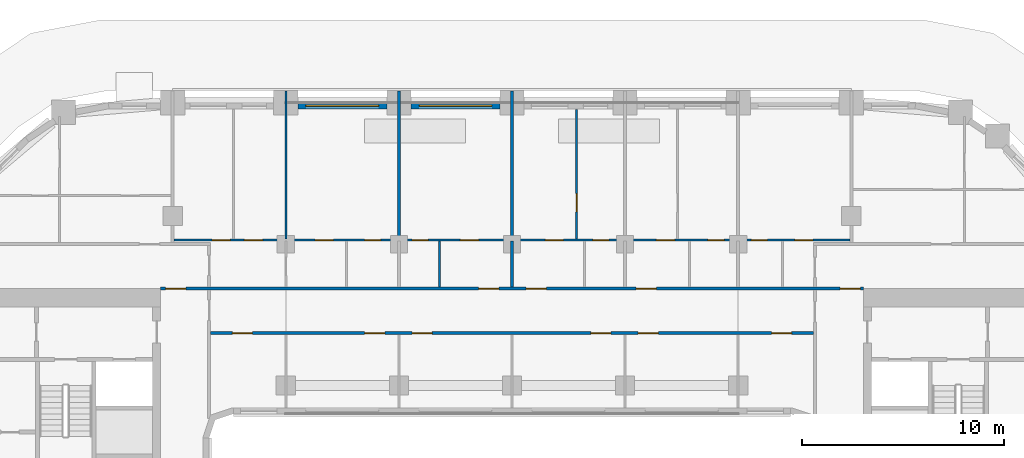
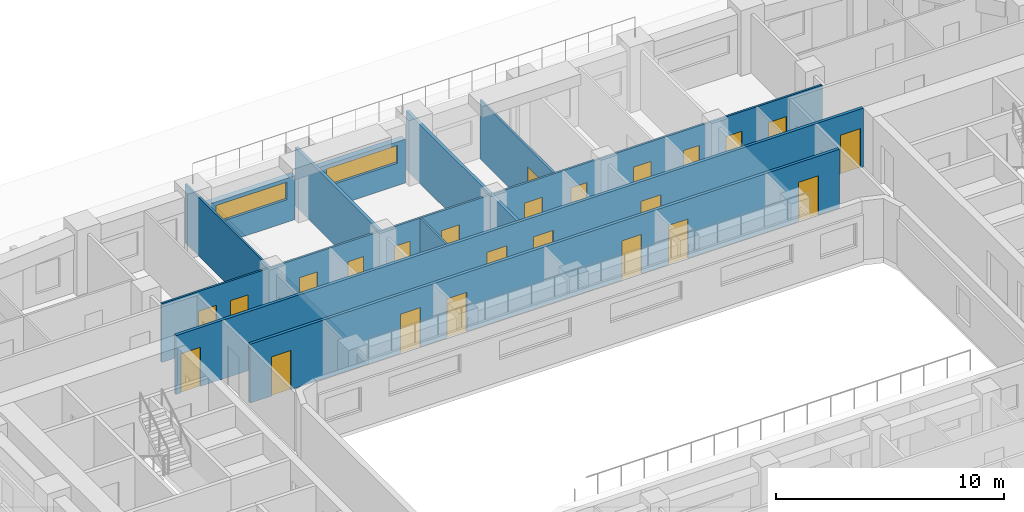
# One storey, part 9 of 18: 24 doors, 11 walls, 2 windows, 26 openings.
"""IFC4 building model written with IfcOpenShell, lengths in metres."""

from ifc_helpers import new_model, si_unit, direction, frame, frame_2d, origin, place, context, subcontext, project, spatial, rectangle, extrude, material, layer, layer_set, type_object, element, fill, save


model = new_model("IFC4")

# Units and contexts
model_context = context("Model", 3, precision=1e-05, world=origin(), true_north=direction((0.0, 1.0)))
body_context = subcontext(model_context, "Body", "Model", "MODEL_VIEW")
ifc_project = project(units=[si_unit("LENGTHUNIT", "METRE"), si_unit("AREAUNIT", "SQUARE_METRE"), si_unit("VOLUMEUNIT", "CUBIC_METRE"), si_unit("PLANEANGLEUNIT", "RADIAN"), si_unit("MASSUNIT", "GRAM", prefix="KILO")], contexts=[model_context])

# Site, building, storey
site_placement = place(None, origin())
site = spatial("IfcSite", under=ifc_project, at=site_placement, CompositionType="ELEMENT")
building_placement = place(site_placement, origin())
building = spatial("IfcBuilding", under=site, at=building_placement, Name="Kiln Ring Residences", CompositionType="ELEMENT")
storey_placement = place(building_placement, frame((0.0, 0.0, 121.800048828125)))
storey = spatial("IfcBuildingStorey", under=building, at=storey_placement, Name="L31", CompositionType="ELEMENT", Elevation=121.800048828125)

# Wall, opening, window
ifc_material_1 = material(Name="Brick masonry, dark clay brick", Category="masonry")
ifc_layer_1 = layer(ifc_material_1, 0.300048828125)
ifc_layer_set_1 = layer_set([ifc_layer_1], Name="EW-300 BRICK WALL")
wall_type_1 = type_object("IfcWallType", Name="EW-300 BRICK WALL", PredefinedType="SOLIDWALL", material=ifc_layer_set_1)
wall_1_placement = place(storey_placement, frame((-0.60009765625, 22.25, 0.0), z_axis=(0.0, 0.0, 1.0), x_axis=(-1.0, 0.0, 0.0)))
wall_1 = element("IfcWall", 1, at=wall_1_placement, inside=storey, type_object=wall_type_1, Name="Facade wall L31 32", PredefinedType="SOLIDWALL", context=body_context, shape_type="SweptSolid", body=[
    extrude(rectangle(XDim=4.39990234375, YDim=0.300048828125, at=frame_2d((2.199951171875, 0.0))), origin(), (0.0, 0.0, 1.0), 2.349853515625),
])
opening_1_placement = place(wall_1_placement, frame((0.39990234375, 0.0, 1.199951171875)))
opening_1 = element("IfcOpeningElement", 2, at=opening_1_placement, cuts=wall_1, Name="Opening W4", PredefinedType="OPENING", context=body_context, shape_type="SweptSolid", body=[
    extrude(rectangle(XDim=3.60009765625, YDim=0.949951171875, at=frame_2d((1.800048828125, 0.47509765625))), frame((0.0, 0.159912109375, 0.0), z_axis=(0.0, -1.0, 0.0), x_axis=(1.0, 0.0, 0.0)), (0.0, 0.0, 1.0), 0.320068359375),
])
ifc_material_2 = material(Name="Aluminium frame with double glazing", Category="aluminium")
window_type = type_object("IfcWindowType", Name="WINDOW 3600 x 950", PartitioningType="SINGLE_PANEL", PredefinedType="WINDOW", material=ifc_material_2)
window_1_placement = place(opening_1_placement, origin())
window_1 = element("IfcWindow", 3, at=window_1_placement, inside=storey, type_object=window_type, Name="Window L31 20", OverallHeight=0.949951171875, OverallWidth=3.60009765625, PartitioningType="SINGLE_PANEL", PredefinedType="WINDOW", context=body_context, shape_type="SweptSolid", body=[
    extrude(rectangle(XDim=3.60009765625, YDim=0.949951171875, at=frame_2d((1.800048828125, 0.47509765625))), frame((0.0, 0.030029296875, 0.0), z_axis=(0.0, -1.0, 0.0), x_axis=(1.0, 0.0, 0.0)), (0.0, 0.0, 1.0), 0.06005859375),
])
fill(opening_1, window_1)

wall_2_placement = place(storey_placement, frame((-6.199951171875, 22.25, 0.0), z_axis=(0.0, 0.0, 1.0), x_axis=(-1.0, 0.0, 0.0)))
wall_2 = element("IfcWall", 4, at=wall_2_placement, inside=storey, type_object=wall_type_1, Name="Facade wall L31 33", PredefinedType="SOLIDWALL", context=body_context, shape_type="SweptSolid", body=[
    extrude(rectangle(XDim=4.400146484375, YDim=0.300048828125, at=frame_2d((2.2001953125, 0.0))), origin(), (0.0, 0.0, 1.0), 2.349853515625),
])
opening_2_placement = place(wall_2_placement, frame((0.39990234375, 0.0, 1.199951171875)))
opening_2 = element("IfcOpeningElement", 5, at=opening_2_placement, cuts=wall_2, Name="Opening W4", PredefinedType="OPENING", context=body_context, shape_type="SweptSolid", body=[
    extrude(rectangle(XDim=3.60009765625, YDim=0.949951171875, at=frame_2d((1.800048828125, 0.47509765625))), frame((0.0, 0.159912109375, 0.0), z_axis=(0.0, -1.0, 0.0), x_axis=(1.0, 0.0, 0.0)), (0.0, 0.0, 1.0), 0.320068359375),
])
window_2_placement = place(opening_2_placement, origin())
window_2 = element("IfcWindow", 6, at=window_2_placement, inside=storey, type_object=window_type, Name="Window L31 21", OverallHeight=0.949951171875, OverallWidth=3.60009765625, PartitioningType="SINGLE_PANEL", PredefinedType="WINDOW", context=body_context, shape_type="SweptSolid", body=[
    extrude(rectangle(XDim=3.60009765625, YDim=0.949951171875, at=frame_2d((1.800048828125, 0.47509765625))), frame((0.0, 0.030029296875, 0.0), z_axis=(0.0, -1.0, 0.0), x_axis=(1.0, 0.0, 0.0)), (0.0, 0.0, 1.0), 0.06005859375),
])
fill(opening_2, window_2)

# Wall, openings, doors
ifc_material_3 = material(Name="Gypsum board on steel studs", Category="steel")
ifc_layer_2 = layer(ifc_material_3, 0.10009765625)
ifc_layer_set_2 = layer_set([ifc_layer_2], Name="PARTITION-100")
wall_type_2 = type_object("IfcWallType", Name="PARTITION-100", PredefinedType="PARTITIONING", material=ifc_layer_set_2)
wall_3_placement = place(storey_placement, frame((-16.72509765625, 15.60009765625, 0.0), z_axis=(0.0, 0.0, 1.0), x_axis=(1.0, 0.0, 0.0)))
wall_3 = element("IfcWall", 7, at=wall_3_placement, inside=storey, type_object=wall_type_2, Name="Partition 011", PredefinedType="PARTITIONING", context=body_context, shape_type="SweptSolid", body=[
    extrude(rectangle(XDim=33.4501953125, YDim=0.10009765625, at=frame_2d((16.72509765625, 0.0))), origin(), (0.0, 0.0, 1.0), 3.14990234375),
])
opening_3_placement = place(wall_3_placement, frame((9.425048828125, 0.0, 0.0)))
opening_3 = element("IfcOpeningElement", 8, at=opening_3_placement, cuts=wall_3, Name="Opening L31-D017", PredefinedType="OPENING", context=body_context, shape_type="SweptSolid", body=[
    extrude(rectangle(XDim=0.800048828125, YDim=2.10009765625, at=frame_2d((0.39990234375, 1.050048828125))), frame((0.0, 0.06005859375, 0.0), z_axis=(0.0, -1.0, 0.0), x_axis=(1.0, 0.0, 0.0)), (0.0, 0.0, 1.0), 0.1201171875),
])
opening_4_placement = place(wall_3_placement, frame((6.97509765625, 0.0, 0.0)))
opening_4 = element("IfcOpeningElement", 9, at=opening_4_placement, cuts=wall_3, Name="Opening L31-D018", PredefinedType="OPENING", context=body_context, shape_type="SweptSolid", body=[
    extrude(rectangle(XDim=0.89990234375, YDim=2.10009765625, at=frame_2d((0.449951171875, 1.050048828125))), frame((0.0, 0.06005859375, 0.0), z_axis=(0.0, -1.0, 0.0), x_axis=(1.0, 0.0, 0.0)), (0.0, 0.0, 1.0), 0.1201171875),
])
opening_5_placement = place(wall_3_placement, frame((1.875, 0.0, 0.0)))
opening_5 = element("IfcOpeningElement", 10, at=opening_5_placement, cuts=wall_3, Name="Opening L31-D019", PredefinedType="OPENING", context=body_context, shape_type="SweptSolid", body=[
    extrude(rectangle(XDim=0.89990234375, YDim=2.10009765625, at=frame_2d((0.449951171875, 1.050048828125))), frame((0.0, 0.06005859375, 0.0), z_axis=(0.0, -1.0, 0.0), x_axis=(1.0, 0.0, 0.0)), (0.0, 0.0, 1.0), 0.1201171875),
])
opening_6_placement = place(wall_3_placement, frame((3.47509765625, 0.0, 0.0)))
opening_6 = element("IfcOpeningElement", 11, at=opening_6_placement, cuts=wall_3, Name="Opening L31-D020", PredefinedType="OPENING", context=body_context, shape_type="SweptSolid", body=[
    extrude(rectangle(XDim=0.89990234375, YDim=2.10009765625, at=frame_2d((0.449951171875, 1.050048828125))), frame((0.0, 0.06005859375, 0.0), z_axis=(0.0, -1.0, 0.0), x_axis=(1.0, 0.0, 0.0)), (0.0, 0.0, 1.0), 0.1201171875),
])
opening_7_placement = place(wall_3_placement, frame((11.77490234375, 0.0, 0.0)))
opening_7 = element("IfcOpeningElement", 12, at=opening_7_placement, cuts=wall_3, Name="Opening L31-D022", PredefinedType="OPENING", context=body_context, shape_type="SweptSolid", body=[
    extrude(rectangle(XDim=0.800048828125, YDim=2.10009765625, at=frame_2d((0.39990234375, 1.050048828125))), frame((0.0, 0.06005859375, 0.0), z_axis=(0.0, -1.0, 0.0), x_axis=(1.0, 0.0, 0.0)), (0.0, 0.0, 1.0), 0.1201171875),
])
opening_8_placement = place(wall_3_placement, frame((14.175048828125, 0.0, 0.0)))
opening_8 = element("IfcOpeningElement", 13, at=opening_8_placement, cuts=wall_3, Name="Opening L31-D023", PredefinedType="OPENING", context=body_context, shape_type="SweptSolid", body=[
    extrude(rectangle(XDim=0.89990234375, YDim=2.10009765625, at=frame_2d((0.449951171875, 1.050048828125))), frame((0.0, 0.06005859375, 0.0), z_axis=(0.0, -1.0, 0.0), x_axis=(1.0, 0.0, 0.0)), (0.0, 0.0, 1.0), 0.1201171875),
])
opening_9_placement = place(wall_3_placement, frame((20.72509765625, 0.0, 0.0)))
opening_9 = element("IfcOpeningElement", 14, at=opening_9_placement, cuts=wall_3, Name="Opening L31-D025", PredefinedType="OPENING", context=body_context, shape_type="SweptSolid", body=[
    extrude(rectangle(XDim=0.800048828125, YDim=2.10009765625, at=frame_2d((0.39990234375, 1.050048828125))), frame((0.0, 0.06005859375, 0.0), z_axis=(0.0, -1.0, 0.0), x_axis=(1.0, 0.0, 0.0)), (0.0, 0.0, 1.0), 0.1201171875),
])
opening_10_placement = place(wall_3_placement, frame((18.375, 0.0, 0.0)))
opening_10 = element("IfcOpeningElement", 15, at=opening_10_placement, cuts=wall_3, Name="Opening L31-D026", PredefinedType="OPENING", context=body_context, shape_type="SweptSolid", body=[
    extrude(rectangle(XDim=0.89990234375, YDim=2.10009765625, at=frame_2d((0.449951171875, 1.050048828125))), frame((0.0, 0.06005859375, 0.0), z_axis=(0.0, -1.0, 0.0), x_axis=(1.0, 0.0, 0.0)), (0.0, 0.0, 1.0), 0.1201171875),
])
opening_11_placement = place(wall_3_placement, frame((26.425048828125, 0.0, 0.0)))
opening_11 = element("IfcOpeningElement", 16, at=opening_11_placement, cuts=wall_3, Name="Opening L31-D029", PredefinedType="OPENING", context=body_context, shape_type="SweptSolid", body=[
    extrude(rectangle(XDim=0.800048828125, YDim=2.10009765625, at=frame_2d((0.39990234375, 1.050048828125))), frame((0.0, 0.06005859375, 0.0), z_axis=(0.0, -1.0, 0.0), x_axis=(1.0, 0.0, 0.0)), (0.0, 0.0, 1.0), 0.1201171875),
])
opening_12_placement = place(wall_3_placement, frame((23.875, 0.0, 0.0)))
opening_12 = element("IfcOpeningElement", 17, at=opening_12_placement, cuts=wall_3, Name="Opening L31-D030", PredefinedType="OPENING", context=body_context, shape_type="SweptSolid", body=[
    extrude(rectangle(XDim=0.89990234375, YDim=2.10009765625, at=frame_2d((0.449951171875, 1.050048828125))), frame((0.0, 0.06005859375, 0.0), z_axis=(0.0, -1.0, 0.0), x_axis=(1.0, 0.0, 0.0)), (0.0, 0.0, 1.0), 0.1201171875),
])
opening_13_placement = place(wall_3_placement, frame((28.574951171875, 0.0, 0.0)))
opening_13 = element("IfcOpeningElement", 18, at=opening_13_placement, cuts=wall_3, Name="Opening L31-D033", PredefinedType="OPENING", context=body_context, shape_type="SweptSolid", body=[
    extrude(rectangle(XDim=0.800048828125, YDim=2.10009765625, at=frame_2d((0.39990234375, 1.050048828125))), frame((0.0, 0.06005859375, 0.0), z_axis=(0.0, -1.0, 0.0), x_axis=(1.0, 0.0, 0.0)), (0.0, 0.0, 1.0), 0.1201171875),
])
opening_14_placement = place(wall_3_placement, frame((30.72509765625, 0.0, 0.0)))
opening_14 = element("IfcOpeningElement", 19, at=opening_14_placement, cuts=wall_3, Name="Opening L31-D034", PredefinedType="OPENING", context=body_context, shape_type="SweptSolid", body=[
    extrude(rectangle(XDim=0.89990234375, YDim=2.10009765625, at=frame_2d((0.449951171875, 1.050048828125))), frame((0.0, 0.06005859375, 0.0), z_axis=(0.0, -1.0, 0.0), x_axis=(1.0, 0.0, 0.0)), (0.0, 0.0, 1.0), 0.1201171875),
])
ifc_material_4 = material(Name="Timber door leaf", Category="wood")
door_type_1 = type_object("IfcDoorType", Name="FLAT-DOOR-800-PL", OperationType="SINGLE_SWING_LEFT", PredefinedType="DOOR", material=ifc_material_4)
door_1_placement = place(opening_3_placement, origin())
door_1 = element("IfcDoor", 20, at=door_1_placement, inside=storey, type_object=door_type_1, Name="Door L31-D017", OperationType="SINGLE_SWING_LEFT", OverallHeight=2.10009765625, OverallWidth=0.800048828125, PredefinedType="DOOR", context=body_context, shape_type="SweptSolid", body=[
    extrude(rectangle(XDim=0.800048828125, YDim=2.10009765625, at=frame_2d((0.39990234375, 1.050048828125))), frame((0.0, 0.02490234375, 0.0), z_axis=(0.0, -1.0, 0.0), x_axis=(1.0, 0.0, 0.0)), (0.0, 0.0, 1.0), 0.050048828125),
])
fill(opening_3, door_1)
door_2_placement = place(opening_7_placement, origin())
door_2 = element("IfcDoor", 21, at=door_2_placement, inside=storey, type_object=door_type_1, Name="Door L31-D022", OperationType="SINGLE_SWING_RIGHT", OverallHeight=2.10009765625, OverallWidth=0.800048828125, PredefinedType="DOOR", context=body_context, shape_type="SweptSolid", body=[
    extrude(rectangle(XDim=0.800048828125, YDim=2.10009765625, at=frame_2d((0.39990234375, 1.050048828125))), frame((0.0, 0.02490234375, 0.0), z_axis=(0.0, -1.0, 0.0), x_axis=(1.0, 0.0, 0.0)), (0.0, 0.0, 1.0), 0.050048828125),
])
fill(opening_7, door_2)
door_3_placement = place(opening_9_placement, origin())
door_3 = element("IfcDoor", 22, at=door_3_placement, inside=storey, type_object=door_type_1, Name="Door L31-D025", OperationType="SINGLE_SWING_LEFT", OverallHeight=2.10009765625, OverallWidth=0.800048828125, PredefinedType="DOOR", context=body_context, shape_type="SweptSolid", body=[
    extrude(rectangle(XDim=0.800048828125, YDim=2.10009765625, at=frame_2d((0.39990234375, 1.050048828125))), frame((0.0, 0.02490234375, 0.0), z_axis=(0.0, -1.0, 0.0), x_axis=(1.0, 0.0, 0.0)), (0.0, 0.0, 1.0), 0.050048828125),
])
fill(opening_9, door_3)
door_4_placement = place(opening_11_placement, origin())
door_4 = element("IfcDoor", 23, at=door_4_placement, inside=storey, type_object=door_type_1, Name="Door L31-D029", OperationType="SINGLE_SWING_LEFT", OverallHeight=2.10009765625, OverallWidth=0.800048828125, PredefinedType="DOOR", context=body_context, shape_type="SweptSolid", body=[
    extrude(rectangle(XDim=0.800048828125, YDim=2.10009765625, at=frame_2d((0.39990234375, 1.050048828125))), frame((0.0, 0.02490234375, 0.0), z_axis=(0.0, -1.0, 0.0), x_axis=(1.0, 0.0, 0.0)), (0.0, 0.0, 1.0), 0.050048828125),
])
fill(opening_11, door_4)
door_5_placement = place(opening_13_placement, origin())
door_5 = element("IfcDoor", 24, at=door_5_placement, inside=storey, type_object=door_type_1, Name="Door L31-D033", OperationType="SINGLE_SWING_LEFT", OverallHeight=2.10009765625, OverallWidth=0.800048828125, PredefinedType="DOOR", context=body_context, shape_type="SweptSolid", body=[
    extrude(rectangle(XDim=0.800048828125, YDim=2.10009765625, at=frame_2d((0.39990234375, 1.050048828125))), frame((0.0, 0.02490234375, 0.0), z_axis=(0.0, -1.0, 0.0), x_axis=(1.0, 0.0, 0.0)), (0.0, 0.0, 1.0), 0.050048828125),
])
fill(opening_13, door_5)
ifc_material_5 = material(Name="Timber door leaf", Category="wood")
door_type_2 = type_object("IfcDoorType", Name="FLAT-DOOR-900-PL", OperationType="SINGLE_SWING_LEFT", PredefinedType="DOOR", material=ifc_material_5)
door_6_placement = place(opening_4_placement, origin())
door_6 = element("IfcDoor", 25, at=door_6_placement, inside=storey, type_object=door_type_2, Name="Door L31-D018", OperationType="SINGLE_SWING_LEFT", OverallHeight=2.10009765625, OverallWidth=0.89990234375, PredefinedType="DOOR", context=body_context, shape_type="SweptSolid", body=[
    extrude(rectangle(XDim=0.89990234375, YDim=2.10009765625, at=frame_2d((0.449951171875, 1.050048828125))), frame((0.0, 0.02490234375, 0.0), z_axis=(0.0, -1.0, 0.0), x_axis=(1.0, 0.0, 0.0)), (0.0, 0.0, 1.0), 0.050048828125),
])
fill(opening_4, door_6)
door_7_placement = place(opening_5_placement, origin())
door_7 = element("IfcDoor", 26, at=door_7_placement, inside=storey, type_object=door_type_2, Name="Door L31-D019", OperationType="SINGLE_SWING_LEFT", OverallHeight=2.10009765625, OverallWidth=0.89990234375, PredefinedType="DOOR", context=body_context, shape_type="SweptSolid", body=[
    extrude(rectangle(XDim=0.89990234375, YDim=2.10009765625, at=frame_2d((0.449951171875, 1.050048828125))), frame((0.0, 0.02490234375, 0.0), z_axis=(0.0, -1.0, 0.0), x_axis=(1.0, 0.0, 0.0)), (0.0, 0.0, 1.0), 0.050048828125),
])
fill(opening_5, door_7)
door_8_placement = place(opening_6_placement, origin())
door_8 = element("IfcDoor", 27, at=door_8_placement, inside=storey, type_object=door_type_2, Name="Door L31-D020", OperationType="SINGLE_SWING_RIGHT", OverallHeight=2.10009765625, OverallWidth=0.89990234375, PredefinedType="DOOR", context=body_context, shape_type="SweptSolid", body=[
    extrude(rectangle(XDim=0.89990234375, YDim=2.10009765625, at=frame_2d((0.449951171875, 1.050048828125))), frame((0.0, 0.02490234375, 0.0), z_axis=(0.0, -1.0, 0.0), x_axis=(1.0, 0.0, 0.0)), (0.0, 0.0, 1.0), 0.050048828125),
])
fill(opening_6, door_8)
door_9_placement = place(opening_8_placement, origin())
door_9 = element("IfcDoor", 28, at=door_9_placement, inside=storey, type_object=door_type_2, Name="Door L31-D023", OperationType="SINGLE_SWING_RIGHT", OverallHeight=2.10009765625, OverallWidth=0.89990234375, PredefinedType="DOOR", context=body_context, shape_type="SweptSolid", body=[
    extrude(rectangle(XDim=0.89990234375, YDim=2.10009765625, at=frame_2d((0.449951171875, 1.050048828125))), frame((0.0, 0.02490234375, 0.0), z_axis=(0.0, -1.0, 0.0), x_axis=(1.0, 0.0, 0.0)), (0.0, 0.0, 1.0), 0.050048828125),
])
fill(opening_8, door_9)
door_10_placement = place(opening_10_placement, origin())
door_10 = element("IfcDoor", 29, at=door_10_placement, inside=storey, type_object=door_type_2, Name="Door L31-D026", OperationType="SINGLE_SWING_LEFT", OverallHeight=2.10009765625, OverallWidth=0.89990234375, PredefinedType="DOOR", context=body_context, shape_type="SweptSolid", body=[
    extrude(rectangle(XDim=0.89990234375, YDim=2.10009765625, at=frame_2d((0.449951171875, 1.050048828125))), frame((0.0, 0.02490234375, 0.0), z_axis=(0.0, -1.0, 0.0), x_axis=(1.0, 0.0, 0.0)), (0.0, 0.0, 1.0), 0.050048828125),
])
fill(opening_10, door_10)
door_11_placement = place(opening_12_placement, origin())
door_11 = element("IfcDoor", 30, at=door_11_placement, inside=storey, type_object=door_type_2, Name="Door L31-D030", OperationType="SINGLE_SWING_LEFT", OverallHeight=2.10009765625, OverallWidth=0.89990234375, PredefinedType="DOOR", context=body_context, shape_type="SweptSolid", body=[
    extrude(rectangle(XDim=0.89990234375, YDim=2.10009765625, at=frame_2d((0.449951171875, 1.050048828125))), frame((0.0, 0.02490234375, 0.0), z_axis=(0.0, -1.0, 0.0), x_axis=(1.0, 0.0, 0.0)), (0.0, 0.0, 1.0), 0.050048828125),
])
fill(opening_12, door_11)
door_12_placement = place(opening_14_placement, origin())
door_12 = element("IfcDoor", 31, at=door_12_placement, inside=storey, type_object=door_type_2, Name="Door L31-D034", OperationType="SINGLE_SWING_RIGHT", OverallHeight=2.10009765625, OverallWidth=0.89990234375, PredefinedType="DOOR", context=body_context, shape_type="SweptSolid", body=[
    extrude(rectangle(XDim=0.89990234375, YDim=2.10009765625, at=frame_2d((0.449951171875, 1.050048828125))), frame((0.0, 0.02490234375, 0.0), z_axis=(0.0, -1.0, 0.0), x_axis=(1.0, 0.0, 0.0)), (0.0, 0.0, 1.0), 0.050048828125),
])
fill(opening_14, door_12)

# Walls
wall_4_placement = place(storey_placement, frame((-11.199951171875, 15.64990234375, 0.0), z_axis=(0.0, 0.0, 1.0), x_axis=(0.0, 1.0, 0.0)))
element("IfcWall", 32, at=wall_4_placement, inside=storey, type_object=wall_type_2, Name="Partition 030", PredefinedType="PARTITIONING", context=body_context, shape_type="SweptSolid", body=[
    extrude(rectangle(XDim=7.330078125, YDim=0.10009765625, at=frame_2d((3.6650390625, 0.0))), origin(), (0.0, 0.0, 1.0), 3.14990234375),
])
wall_5_placement = place(storey_placement, frame((-3.60009765625, 13.27490234375, 0.0), z_axis=(0.0, 0.0, 1.0), x_axis=(0.0, 1.0, 0.0)))
element("IfcWall", 33, at=wall_5_placement, inside=storey, type_object=wall_type_2, Name="Partition 039", PredefinedType="PARTITIONING", context=body_context, shape_type="SweptSolid", body=[
    extrude(rectangle(XDim=2.275146484375, YDim=0.10009765625, at=frame_2d((1.1376953125, 0.0))), origin(), (0.0, 0.0, 1.0), 3.14990234375),
])

# Wall, opening, door
wall_6_placement = place(storey_placement, frame((3.199951171875, 15.64990234375, 0.0), z_axis=(0.0, 0.0, 1.0), x_axis=(0.0, 1.0, 0.0)))
wall_6 = element("IfcWall", 34, at=wall_6_placement, inside=storey, type_object=wall_type_2, Name="Partition 049", PredefinedType="PARTITIONING", context=body_context, shape_type="SweptSolid", body=[
    extrude(rectangle(XDim=6.43017578125, YDim=0.10009765625, at=frame_2d((3.215087890625, 0.0))), origin(), (0.0, 0.0, 1.0), 3.14990234375),
])
opening_15_placement = place(wall_6_placement, frame((1.35009765625, 0.0, 0.0)))
opening_15 = element("IfcOpeningElement", 35, at=opening_15_placement, cuts=wall_6, Name="Opening L31-D027", PredefinedType="OPENING", context=body_context, shape_type="SweptSolid", body=[
    extrude(rectangle(XDim=0.89990234375, YDim=2.10009765625, at=frame_2d((0.449951171875, 1.050048828125))), frame((0.0, 0.06005859375, 0.0), z_axis=(0.0, -1.0, 0.0), x_axis=(1.0, 0.0, 0.0)), (0.0, 0.0, 1.0), 0.1201171875),
])
door_13_placement = place(opening_15_placement, origin())
door_13 = element("IfcDoor", 36, at=door_13_placement, inside=storey, type_object=door_type_2, Name="Door L31-D027", OperationType="SINGLE_SWING_LEFT", OverallHeight=2.10009765625, OverallWidth=0.89990234375, PredefinedType="DOOR", context=body_context, shape_type="SweptSolid", body=[
    extrude(rectangle(XDim=0.89990234375, YDim=2.10009765625, at=frame_2d((0.449951171875, 1.050048828125))), frame((0.0, 0.02490234375, 0.0), z_axis=(0.0, -1.0, 0.0), x_axis=(1.0, 0.0, 0.0)), (0.0, 0.0, 1.0), 0.050048828125),
])
fill(opening_15, door_13)

# Wall, openings, doors
ifc_material_6 = material(Name="Brick masonry partition", Category="masonry")
ifc_layer_3 = layer(ifc_material_6, 0.14990234375)
ifc_layer_set_3 = layer_set([ifc_layer_3], Name="PARTITION-150-ei60")
wall_type_3 = type_object("IfcWallType", Name="PARTITION-150-ei60", PredefinedType="PARTITIONING", material=ifc_layer_set_3)
wall_7_placement = place(storey_placement, frame((-14.925048828125, 11.0, 0.0), z_axis=(0.0, 0.0, 1.0), x_axis=(1.0, 0.0, 0.0)))
wall_7 = element("IfcWall", 37, at=wall_7_placement, inside=storey, type_object=wall_type_3, Name="Partition 007", PredefinedType="PARTITIONING", context=body_context, shape_type="SweptSolid", body=[
    extrude(rectangle(XDim=29.85009765625, YDim=0.14990234375, at=frame_2d((14.925048828125, 0.0))), origin(), (0.0, 0.0, 1.0), 3.14990234375),
])
opening_16_placement = place(wall_7_placement, frame((1.075927734375, 0.0, 0.0)))
opening_16 = element("IfcOpeningElement", 38, at=opening_16_placement, cuts=wall_7, Name="Opening L31-D009", PredefinedType="OPENING", context=body_context, shape_type="SweptSolid", body=[
    extrude(rectangle(XDim=1.0, YDim=2.10009765625, at=frame_2d((0.5, 1.050048828125))), frame((0.0, 0.0849609375, 0.0), z_axis=(0.0, -1.0, 0.0), x_axis=(1.0, 0.0, 0.0)), (0.0, 0.0, 1.0), 0.169921875),
])
opening_17_placement = place(wall_7_placement, frame((7.625, 0.0, 0.0)))
opening_17 = element("IfcOpeningElement", 39, at=opening_17_placement, cuts=wall_7, Name="Opening L31-D010", PredefinedType="OPENING", context=body_context, shape_type="SweptSolid", body=[
    extrude(rectangle(XDim=1.0, YDim=2.10009765625, at=frame_2d((0.5, 1.050048828125))), frame((0.0, 0.0849609375, 0.0), z_axis=(0.0, -1.0, 0.0), x_axis=(1.0, 0.0, 0.0)), (0.0, 0.0, 1.0), 0.169921875),
])
opening_18_placement = place(wall_7_placement, frame((9.97509765625, 0.0, 0.0)))
opening_18 = element("IfcOpeningElement", 40, at=opening_18_placement, cuts=wall_7, Name="Opening L31-D011", PredefinedType="OPENING", context=body_context, shape_type="SweptSolid", body=[
    extrude(rectangle(XDim=1.0, YDim=2.10009765625, at=frame_2d((0.5, 1.050048828125))), frame((0.0, 0.0849609375, 0.0), z_axis=(0.0, -1.0, 0.0), x_axis=(1.0, 0.0, 0.0)), (0.0, 0.0, 1.0), 0.169921875),
])
opening_19_placement = place(wall_7_placement, frame((18.824951171875, 0.0, 0.0)))
opening_19 = element("IfcOpeningElement", 41, at=opening_19_placement, cuts=wall_7, Name="Opening L31-D012", PredefinedType="OPENING", context=body_context, shape_type="SweptSolid", body=[
    extrude(rectangle(XDim=1.0, YDim=2.10009765625, at=frame_2d((0.5, 1.050048828125))), frame((0.0, 0.0849609375, 0.0), z_axis=(0.0, -1.0, 0.0), x_axis=(1.0, 0.0, 0.0)), (0.0, 0.0, 1.0), 0.169921875),
])
opening_20_placement = place(wall_7_placement, frame((21.175048828125, 0.0, 0.0)))
opening_20 = element("IfcOpeningElement", 42, at=opening_20_placement, cuts=wall_7, Name="Opening L31-D013", PredefinedType="OPENING", context=body_context, shape_type="SweptSolid", body=[
    extrude(rectangle(XDim=1.0, YDim=2.10009765625, at=frame_2d((0.5, 1.050048828125))), frame((0.0, 0.0849609375, 0.0), z_axis=(0.0, -1.0, 0.0), x_axis=(1.0, 0.0, 0.0)), (0.0, 0.0, 1.0), 0.169921875),
])
opening_21_placement = place(wall_7_placement, frame((27.77490234375, 0.0, 0.0)))
opening_21 = element("IfcOpeningElement", 43, at=opening_21_placement, cuts=wall_7, Name="Opening L31-D014", PredefinedType="OPENING", context=body_context, shape_type="SweptSolid", body=[
    extrude(rectangle(XDim=1.0, YDim=2.10009765625, at=frame_2d((0.5, 1.050048828125))), frame((0.0, 0.0849609375, 0.0), z_axis=(0.0, -1.0, 0.0), x_axis=(1.0, 0.0, 0.0)), (0.0, 0.0, 1.0), 0.169921875),
])
ifc_material_7 = material(Name="Steel faced fire door leaf", Category="steel")
door_type_3 = type_object("IfcDoorType", Name="FLAT-DOOR-1000-FR", OperationType="SINGLE_SWING_LEFT", PredefinedType="DOOR", material=ifc_material_7)
door_14_placement = place(opening_16_placement, origin())
door_14 = element("IfcDoor", 44, at=door_14_placement, inside=storey, type_object=door_type_3, Name="Door L31-D009", OperationType="SINGLE_SWING_LEFT", OverallHeight=2.10009765625, OverallWidth=1.0, PredefinedType="DOOR", context=body_context, shape_type="SweptSolid", body=[
    extrude(rectangle(XDim=1.0, YDim=2.10009765625, at=frame_2d((0.5, 1.050048828125))), frame((0.0, 0.02490234375, 0.0), z_axis=(0.0, -1.0, 0.0), x_axis=(1.0, 0.0, 0.0)), (0.0, 0.0, 1.0), 0.050048828125),
])
fill(opening_16, door_14)
door_15_placement = place(opening_17_placement, origin())
door_15 = element("IfcDoor", 45, at=door_15_placement, inside=storey, type_object=door_type_3, Name="Door L31-D010", OperationType="SINGLE_SWING_RIGHT", OverallHeight=2.10009765625, OverallWidth=1.0, PredefinedType="DOOR", context=body_context, shape_type="SweptSolid", body=[
    extrude(rectangle(XDim=1.0, YDim=2.10009765625, at=frame_2d((0.5, 1.050048828125))), frame((0.0, 0.02490234375, 0.0), z_axis=(0.0, -1.0, 0.0), x_axis=(1.0, 0.0, 0.0)), (0.0, 0.0, 1.0), 0.050048828125),
])
fill(opening_17, door_15)
door_16_placement = place(opening_18_placement, origin())
door_16 = element("IfcDoor", 46, at=door_16_placement, inside=storey, type_object=door_type_3, Name="Door L31-D011", OperationType="SINGLE_SWING_LEFT", OverallHeight=2.10009765625, OverallWidth=1.0, PredefinedType="DOOR", context=body_context, shape_type="SweptSolid", body=[
    extrude(rectangle(XDim=1.0, YDim=2.10009765625, at=frame_2d((0.5, 1.050048828125))), frame((0.0, 0.02490234375, 0.0), z_axis=(0.0, -1.0, 0.0), x_axis=(1.0, 0.0, 0.0)), (0.0, 0.0, 1.0), 0.050048828125),
])
fill(opening_18, door_16)
door_17_placement = place(opening_19_placement, origin())
door_17 = element("IfcDoor", 47, at=door_17_placement, inside=storey, type_object=door_type_3, Name="Door L31-D012", OperationType="SINGLE_SWING_RIGHT", OverallHeight=2.10009765625, OverallWidth=1.0, PredefinedType="DOOR", context=body_context, shape_type="SweptSolid", body=[
    extrude(rectangle(XDim=1.0, YDim=2.10009765625, at=frame_2d((0.5, 1.050048828125))), frame((0.0, 0.02490234375, 0.0), z_axis=(0.0, -1.0, 0.0), x_axis=(1.0, 0.0, 0.0)), (0.0, 0.0, 1.0), 0.050048828125),
])
fill(opening_19, door_17)
door_18_placement = place(opening_20_placement, origin())
door_18 = element("IfcDoor", 48, at=door_18_placement, inside=storey, type_object=door_type_3, Name="Door L31-D013", OperationType="SINGLE_SWING_LEFT", OverallHeight=2.10009765625, OverallWidth=1.0, PredefinedType="DOOR", context=body_context, shape_type="SweptSolid", body=[
    extrude(rectangle(XDim=1.0, YDim=2.10009765625, at=frame_2d((0.5, 1.050048828125))), frame((0.0, 0.02490234375, 0.0), z_axis=(0.0, -1.0, 0.0), x_axis=(1.0, 0.0, 0.0)), (0.0, 0.0, 1.0), 0.050048828125),
])
fill(opening_20, door_18)
door_19_placement = place(opening_21_placement, origin())
door_19 = element("IfcDoor", 49, at=door_19_placement, inside=storey, type_object=door_type_3, Name="Door L31-D014", OperationType="SINGLE_SWING_RIGHT", OverallHeight=2.10009765625, OverallWidth=1.0, PredefinedType="DOOR", context=body_context, shape_type="SweptSolid", body=[
    extrude(rectangle(XDim=1.0, YDim=2.10009765625, at=frame_2d((0.5, 1.050048828125))), frame((0.0, 0.02490234375, 0.0), z_axis=(0.0, -1.0, 0.0), x_axis=(1.0, 0.0, 0.0)), (0.0, 0.0, 1.0), 0.050048828125),
])
fill(opening_21, door_19)

wall_8_placement = place(storey_placement, frame((-17.39990234375, 13.199951171875, 0.0), z_axis=(0.0, 0.0, 1.0), x_axis=(1.0, 0.0, 0.0)))
wall_8 = element("IfcWall", 50, at=wall_8_placement, inside=storey, type_object=wall_type_3, Name="Partition 008", PredefinedType="PARTITIONING", context=body_context, shape_type="SweptSolid", body=[
    extrude(rectangle(XDim=34.7998046875, YDim=0.14990234375, at=frame_2d((17.39990234375, 0.0))), origin(), (0.0, 0.0, 1.0), 3.14990234375),
])
opening_22_placement = place(wall_8_placement, frame((0.25, 0.0, 0.0)))
opening_22 = element("IfcOpeningElement", 51, at=opening_22_placement, cuts=wall_8, Name="Opening L31-D003", PredefinedType="OPENING", context=body_context, shape_type="SweptSolid", body=[
    extrude(rectangle(XDim=1.0, YDim=2.10009765625, at=frame_2d((0.5, 1.050048828125))), frame((0.0, 0.0849609375, 0.0), z_axis=(0.0, -1.0, 0.0), x_axis=(1.0, 0.0, 0.0)), (0.0, 0.0, 1.0), 0.169921875),
])
opening_23_placement = place(wall_8_placement, frame((33.64990234375, 0.0, 0.0)))
opening_23 = element("IfcOpeningElement", 52, at=opening_23_placement, cuts=wall_8, Name="Opening L31-D004", PredefinedType="OPENING", context=body_context, shape_type="SweptSolid", body=[
    extrude(rectangle(XDim=1.0, YDim=2.10009765625, at=frame_2d((0.5, 1.050048828125))), frame((0.0, 0.0849609375, 0.0), z_axis=(0.0, -1.0, 0.0), x_axis=(1.0, 0.0, 0.0)), (0.0, 0.0, 1.0), 0.169921875),
])
opening_24_placement = place(wall_8_placement, frame((15.75, 0.0, 0.0)))
opening_24 = element("IfcOpeningElement", 53, at=opening_24_placement, cuts=wall_8, Name="Opening L31-D021", PredefinedType="OPENING", context=body_context, shape_type="SweptSolid", body=[
    extrude(rectangle(XDim=1.0, YDim=2.10009765625, at=frame_2d((0.5, 1.050048828125))), frame((0.0, 0.0849609375, 0.0), z_axis=(0.0, -1.0, 0.0), x_axis=(1.0, 0.0, 0.0)), (0.0, 0.0, 1.0), 0.169921875),
])
opening_25_placement = place(wall_8_placement, frame((18.10009765625, 0.0, 0.0)))
opening_25 = element("IfcOpeningElement", 54, at=opening_25_placement, cuts=wall_8, Name="Opening L31-D024", PredefinedType="OPENING", context=body_context, shape_type="SweptSolid", body=[
    extrude(rectangle(XDim=1.0, YDim=2.10009765625, at=frame_2d((0.5, 1.050048828125))), frame((0.0, 0.0849609375, 0.0), z_axis=(0.0, -1.0, 0.0), x_axis=(1.0, 0.0, 0.0)), (0.0, 0.0, 1.0), 0.169921875),
])
opening_26_placement = place(wall_8_placement, frame((23.550048828125, 0.0, 0.0)))
opening_26 = element("IfcOpeningElement", 55, at=opening_26_placement, cuts=wall_8, Name="Opening L31-D028", PredefinedType="OPENING", context=body_context, shape_type="SweptSolid", body=[
    extrude(rectangle(XDim=1.0, YDim=2.10009765625, at=frame_2d((0.5, 1.050048828125))), frame((0.0, 0.0849609375, 0.0), z_axis=(0.0, -1.0, 0.0), x_axis=(1.0, 0.0, 0.0)), (0.0, 0.0, 1.0), 0.169921875),
])
door_20_placement = place(opening_22_placement, origin())
door_20 = element("IfcDoor", 56, at=door_20_placement, inside=storey, type_object=door_type_3, Name="Door L31-D003", OperationType="SINGLE_SWING_LEFT", OverallHeight=2.10009765625, OverallWidth=1.0, PredefinedType="DOOR", context=body_context, shape_type="SweptSolid", body=[
    extrude(rectangle(XDim=1.0, YDim=2.10009765625, at=frame_2d((0.5, 1.050048828125))), frame((0.0, 0.02490234375, 0.0), z_axis=(0.0, -1.0, 0.0), x_axis=(1.0, 0.0, 0.0)), (0.0, 0.0, 1.0), 0.050048828125),
])
fill(opening_22, door_20)
door_21_placement = place(opening_23_placement, origin())
door_21 = element("IfcDoor", 57, at=door_21_placement, inside=storey, type_object=door_type_3, Name="Door L31-D004", OperationType="SINGLE_SWING_RIGHT", OverallHeight=2.10009765625, OverallWidth=1.0, PredefinedType="DOOR", context=body_context, shape_type="SweptSolid", body=[
    extrude(rectangle(XDim=1.0, YDim=2.10009765625, at=frame_2d((0.5, 1.050048828125))), frame((0.0, 0.02490234375, 0.0), z_axis=(0.0, -1.0, 0.0), x_axis=(1.0, 0.0, 0.0)), (0.0, 0.0, 1.0), 0.050048828125),
])
fill(opening_23, door_21)
door_22_placement = place(opening_24_placement, origin())
door_22 = element("IfcDoor", 58, at=door_22_placement, inside=storey, type_object=door_type_3, Name="Door L31-D021", OperationType="SINGLE_SWING_LEFT", OverallHeight=2.10009765625, OverallWidth=1.0, PredefinedType="DOOR", context=body_context, shape_type="SweptSolid", body=[
    extrude(rectangle(XDim=1.0, YDim=2.10009765625, at=frame_2d((0.5, 1.050048828125))), frame((0.0, 0.02490234375, 0.0), z_axis=(0.0, -1.0, 0.0), x_axis=(1.0, 0.0, 0.0)), (0.0, 0.0, 1.0), 0.050048828125),
])
fill(opening_24, door_22)
door_23_placement = place(opening_25_placement, origin())
door_23 = element("IfcDoor", 59, at=door_23_placement, inside=storey, type_object=door_type_3, Name="Door L31-D024", OperationType="SINGLE_SWING_RIGHT", OverallHeight=2.10009765625, OverallWidth=1.0, PredefinedType="DOOR", context=body_context, shape_type="SweptSolid", body=[
    extrude(rectangle(XDim=1.0, YDim=2.10009765625, at=frame_2d((0.5, 1.050048828125))), frame((0.0, 0.02490234375, 0.0), z_axis=(0.0, -1.0, 0.0), x_axis=(1.0, 0.0, 0.0)), (0.0, 0.0, 1.0), 0.050048828125),
])
fill(opening_25, door_23)
door_24_placement = place(opening_26_placement, origin())
door_24 = element("IfcDoor", 60, at=door_24_placement, inside=storey, type_object=door_type_3, Name="Door L31-D028", OperationType="SINGLE_SWING_RIGHT", OverallHeight=2.10009765625, OverallWidth=1.0, PredefinedType="DOOR", context=body_context, shape_type="SweptSolid", body=[
    extrude(rectangle(XDim=1.0, YDim=2.10009765625, at=frame_2d((0.5, 1.050048828125))), frame((0.0, 0.02490234375, 0.0), z_axis=(0.0, -1.0, 0.0), x_axis=(1.0, 0.0, 0.0)), (0.0, 0.0, 1.0), 0.050048828125),
])
fill(opening_26, door_24)

# Walls
wall_9_placement = place(storey_placement, frame((-5.60009765625, 15.64990234375, 0.0), z_axis=(0.0, 0.0, 1.0), x_axis=(0.0, 1.0, 0.0)))
element("IfcWall", 61, at=wall_9_placement, inside=storey, type_object=wall_type_3, Name="Partition 038", PredefinedType="PARTITIONING", context=body_context, shape_type="SweptSolid", body=[
    extrude(rectangle(XDim=7.330078125, YDim=0.14990234375, at=frame_2d((3.6650390625, 0.0))), origin(), (0.0, 0.0, 1.0), 3.14990234375),
])
wall_10_placement = place(storey_placement, frame((0.0, 13.27490234375, 0.0), z_axis=(0.0, 0.0, 1.0), x_axis=(0.0, 1.0, 0.0)))
element("IfcWall", 62, at=wall_10_placement, inside=storey, type_object=wall_type_3, Name="Partition 045", PredefinedType="PARTITIONING", context=body_context, shape_type="SweptSolid", body=[
    extrude(rectangle(XDim=2.275146484375, YDim=0.14990234375, at=frame_2d((1.1376953125, 0.0))), origin(), (0.0, 0.0, 1.0), 3.14990234375),
])
wall_11_placement = place(storey_placement, frame((0.0, 15.64990234375, 0.0), z_axis=(0.0, 0.0, 1.0), x_axis=(0.0, 1.0, 0.0)))
element("IfcWall", 63, at=wall_11_placement, inside=storey, type_object=wall_type_3, Name="Partition 046", PredefinedType="PARTITIONING", context=body_context, shape_type="SweptSolid", body=[
    extrude(rectangle(XDim=7.330078125, YDim=0.14990234375, at=frame_2d((3.6650390625, 0.0))), origin(), (0.0, 0.0, 1.0), 3.14990234375),
])

save(model, "model.ifc")
